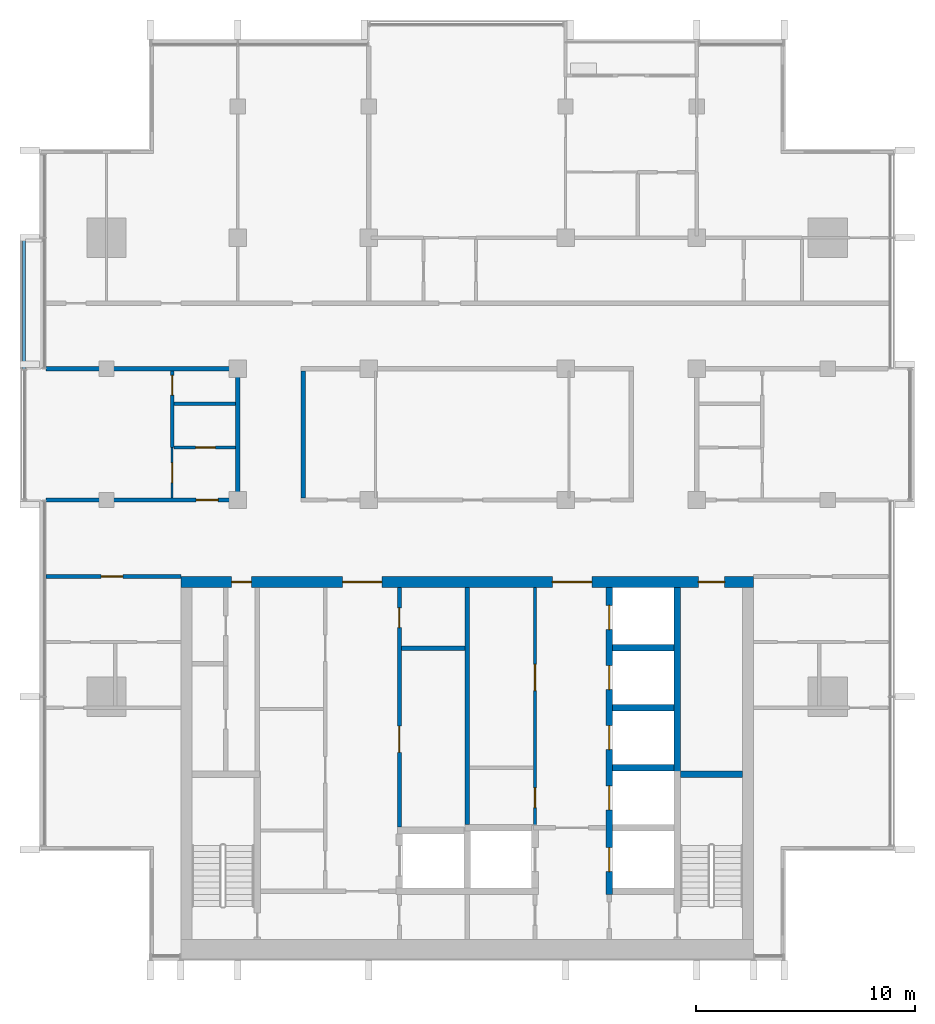
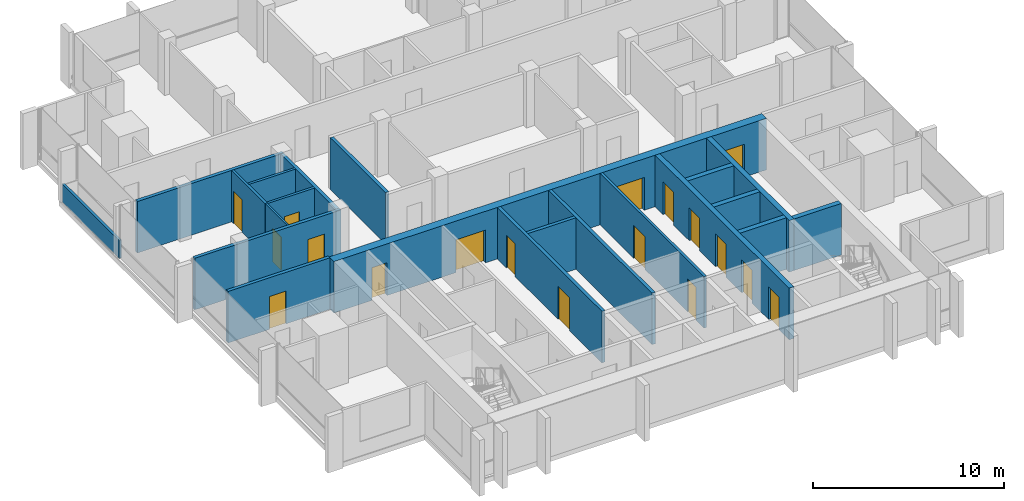
# One storey, part 8 of 16: 21 walls, 18 doors, 18 openings.
"""IFC4 building model written with IfcOpenShell, lengths in metres."""

from ifc_helpers import new_model, si_unit, direction, frame, frame_2d, origin, place, context, subcontext, project, spatial, rectangle, extrude, material, layer, layer_set, type_object, element, fill, save


model = new_model("IFC4")

# Units and contexts
model_context = context("Model", 3, precision=1e-05, world=origin(), true_north=direction((0.0, 1.0)))
body_context = subcontext(model_context, "Body", "Model", "MODEL_VIEW")
ifc_project = project(units=[si_unit("LENGTHUNIT", "METRE"), si_unit("AREAUNIT", "SQUARE_METRE"), si_unit("VOLUMEUNIT", "CUBIC_METRE"), si_unit("PLANEANGLEUNIT", "RADIAN"), si_unit("MASSUNIT", "GRAM", prefix="KILO")], contexts=[model_context])

# Site, building, storey
site_placement = place(None, origin())
site = spatial("IfcSite", under=ifc_project, at=site_placement, CompositionType="ELEMENT")
building_placement = place(site_placement, origin())
building = spatial("IfcBuilding", under=site, at=building_placement, Name="Finial Court Residences", CompositionType="ELEMENT")
storey_placement = place(building_placement, frame((0.0, 0.0, 262.699951171875)))
storey = spatial("IfcBuildingStorey", under=building, at=storey_placement, Name="L66", CompositionType="ELEMENT", Elevation=262.699951171875)

# Wall, openings, doors
ifc_material_1 = material(Name="Concrete C50/60", Category="concrete")
ifc_layer_1 = layer(ifc_material_1, 0.5)
ifc_layer_set_1 = layer_set([ifc_layer_1], Name="Core outer wall 500 Concrete C50/60")
wall_type_1 = type_object("IfcWallType", Name="Core outer wall 500 Concrete C50/60", PredefinedType="SHEAR", material=ifc_layer_set_1)
wall_1_placement = place(storey_placement, frame((-13.10009765625, -8.25, 0.0), z_axis=(0.0, 0.0, 1.0), x_axis=(1.0, 0.0, 0.0)))
wall_1 = element("IfcWall", 1, at=wall_1_placement, inside=storey, type_object=wall_type_1, Name="Core outer wall L66-02", PredefinedType="SHEAR", context=body_context, shape_type="SweptSolid", body=[
    extrude(rectangle(XDim=26.2001953125, YDim=0.5, at=frame_2d((13.10009765625, 0.0))), origin(), (0.0, 0.0, 1.0), 3.300048828125),
])
opening_1_placement = place(wall_1_placement, frame((7.39990234375, 0.0, 0.0)))
opening_1 = element("IfcOpeningElement", 2, at=opening_1_placement, cuts=wall_1, Name="Opening L66-C04", PredefinedType="OPENING", context=body_context, shape_type="SweptSolid", body=[
    extrude(rectangle(XDim=1.800048828125, YDim=2.10009765625, at=frame_2d((0.89990234375, 1.050048828125))), frame((0.0, 0.260009765625, 0.0), z_axis=(0.0, -1.0, 0.0), x_axis=(1.0, 0.0, 0.0)), (0.0, 0.0, 1.0), 0.52001953125),
])
opening_2_placement = place(wall_1_placement, frame((17.0, 0.0, 0.0)))
opening_2 = element("IfcOpeningElement", 3, at=opening_2_placement, cuts=wall_1, Name="Opening L66-C05", PredefinedType="OPENING", context=body_context, shape_type="SweptSolid", body=[
    extrude(rectangle(XDim=1.800048828125, YDim=2.10009765625, at=frame_2d((0.89990234375, 1.050048828125))), frame((0.0, 0.260009765625, 0.0), z_axis=(0.0, -1.0, 0.0), x_axis=(1.0, 0.0, 0.0)), (0.0, 0.0, 1.0), 0.52001953125),
])
opening_3_placement = place(wall_1_placement, frame((2.324951171875, 0.0, 0.0)))
opening_3 = element("IfcOpeningElement", 4, at=opening_3_placement, cuts=wall_1, Name="Opening L66-C10", PredefinedType="OPENING", context=body_context, shape_type="SweptSolid", body=[
    extrude(rectangle(XDim=0.89990234375, YDim=2.10009765625, at=frame_2d((0.449951171875, 1.050048828125))), frame((0.0, 0.260009765625, 0.0), z_axis=(0.0, -1.0, 0.0), x_axis=(1.0, 0.0, 0.0)), (0.0, 0.0, 1.0), 0.52001953125),
])
opening_4_placement = place(wall_1_placement, frame((23.675048828125, 0.0, 0.0)))
opening_4 = element("IfcOpeningElement", 5, at=opening_4_placement, cuts=wall_1, Name="Opening L66-C11", PredefinedType="OPENING", context=body_context, shape_type="SweptSolid", body=[
    extrude(rectangle(XDim=1.199951171875, YDim=2.10009765625, at=frame_2d((0.60009765625, 1.050048828125))), frame((0.0, 0.260009765625, 0.0), z_axis=(0.0, -1.0, 0.0), x_axis=(1.0, 0.0, 0.0)), (0.0, 0.0, 1.0), 0.52001953125),
])
ifc_material_2 = material(Name="Steel fire door", Category="steel")
door_type_1 = type_object("IfcDoorType", Name="Lift lobby door 1800 x 2100 EI 60", OperationType="DOUBLE_DOOR_SINGLE_SWING", PredefinedType="DOOR", material=ifc_material_2)
door_1_placement = place(opening_1_placement, origin())
door_1 = element("IfcDoor", 6, at=door_1_placement, inside=storey, type_object=door_type_1, Name="Lift lobby door L66-C04", OperationType="DOUBLE_DOOR_SINGLE_SWING", OverallHeight=2.10009765625, OverallWidth=1.800048828125, PredefinedType="DOOR", context=body_context, shape_type="SweptSolid", body=[
    extrude(rectangle(XDim=1.800048828125, YDim=2.10009765625, at=frame_2d((0.89990234375, 1.050048828125))), frame((0.0, 0.02490234375, 0.0), z_axis=(0.0, -1.0, 0.0), x_axis=(1.0, 0.0, 0.0)), (0.0, 0.0, 1.0), 0.050048828125),
])
fill(opening_1, door_1)
door_2_placement = place(opening_2_placement, origin())
door_2 = element("IfcDoor", 7, at=door_2_placement, inside=storey, type_object=door_type_1, Name="Lift lobby door L66-C05", OperationType="DOUBLE_DOOR_SINGLE_SWING", OverallHeight=2.10009765625, OverallWidth=1.800048828125, PredefinedType="DOOR", context=body_context, shape_type="SweptSolid", body=[
    extrude(rectangle(XDim=1.800048828125, YDim=2.10009765625, at=frame_2d((0.89990234375, 1.050048828125))), frame((0.0, 0.02490234375, 0.0), z_axis=(0.0, -1.0, 0.0), x_axis=(1.0, 0.0, 0.0)), (0.0, 0.0, 1.0), 0.050048828125),
])
fill(opening_2, door_2)
door_type_2 = type_object("IfcDoorType", Name="Riser room door 1200 x 2100 EI 90", OperationType="NOTDEFINED", PredefinedType="DOOR", material=ifc_material_2)
door_3_placement = place(opening_4_placement, origin())
door_3 = element("IfcDoor", 8, at=door_3_placement, inside=storey, type_object=door_type_2, Name="Riser room door L66-C11", OperationType="SINGLE_SWING_RIGHT", OverallHeight=2.10009765625, OverallWidth=1.199951171875, PredefinedType="DOOR", context=body_context, shape_type="SweptSolid", body=[
    extrude(rectangle(XDim=1.199951171875, YDim=2.10009765625, at=frame_2d((0.60009765625, 1.050048828125))), frame((0.0, 0.02490234375, 0.0), z_axis=(0.0, -1.0, 0.0), x_axis=(1.0, 0.0, 0.0)), (0.0, 0.0, 1.0), 0.050048828125),
])
fill(opening_4, door_3)
door_type_3 = type_object("IfcDoorType", Name="Riser room door 900 x 2100 EI 90", OperationType="NOTDEFINED", PredefinedType="DOOR", material=ifc_material_2)
door_4_placement = place(opening_3_placement, origin())
door_4 = element("IfcDoor", 9, at=door_4_placement, inside=storey, type_object=door_type_3, Name="Riser room door L66-C10", OperationType="SINGLE_SWING_RIGHT", OverallHeight=2.10009765625, OverallWidth=0.89990234375, PredefinedType="DOOR", context=body_context, shape_type="SweptSolid", body=[
    extrude(rectangle(XDim=0.89990234375, YDim=2.10009765625, at=frame_2d((0.449951171875, 1.050048828125))), frame((0.0, 0.02490234375, 0.0), z_axis=(0.0, -1.0, 0.0), x_axis=(1.0, 0.0, 0.0)), (0.0, 0.0, 1.0), 0.050048828125),
])
fill(opening_3, door_4)

ifc_material_3 = material(Name="Fire-rated gypsum board partition")
ifc_layer_2 = layer(ifc_material_3, 0.14990234375)
ifc_layer_set_2 = layer_set([ifc_layer_2], Name="Core room partition 150 EI 60")
wall_type_2 = type_object("IfcWallType", Name="Core room partition 150 EI 60", PredefinedType="PARTITIONING", material=ifc_layer_set_2)
wall_2_placement = place(storey_placement, frame((3.10009765625, -19.39990234375, 0.0), z_axis=(0.0, 0.0, 1.0), x_axis=(0.0, 1.0, 0.0)))
wall_2 = element("IfcWall", 10, at=wall_2_placement, inside=storey, type_object=wall_type_2, Name="Core partition L66-31", PredefinedType="PARTITIONING", context=body_context, shape_type="SweptSolid", body=[
    extrude(rectangle(XDim=10.89990234375, YDim=0.14990234375, at=frame_2d((5.449951171875, 0.0))), origin(), (0.0, 0.0, 1.0), 3.300048828125),
])
opening_5_placement = place(wall_2_placement, frame((0.824951171875, 0.0, 0.0)))
opening_5 = element("IfcOpeningElement", 11, at=opening_5_placement, cuts=wall_2, Name="Opening L66-C17", PredefinedType="OPENING", context=body_context, shape_type="SweptSolid", body=[
    extrude(rectangle(XDim=0.89990234375, YDim=2.10009765625, at=frame_2d((0.449951171875, 1.050048828125))), frame((0.0, 0.0849609375, 0.0), z_axis=(0.0, -1.0, 0.0), x_axis=(1.0, 0.0, 0.0)), (0.0, 0.0, 1.0), 0.169921875),
])
opening_6_placement = place(wall_2_placement, frame((6.175048828125, 0.0, 0.0)))
opening_6 = element("IfcOpeningElement", 12, at=opening_6_placement, cuts=wall_2, Name="Opening L66-C18", PredefinedType="OPENING", context=body_context, shape_type="SweptSolid", body=[
    extrude(rectangle(XDim=1.199951171875, YDim=2.10009765625, at=frame_2d((0.60009765625, 1.050048828125))), frame((0.0, 0.0849609375, 0.0), z_axis=(0.0, -1.0, 0.0), x_axis=(1.0, 0.0, 0.0)), (0.0, 0.0, 1.0), 0.169921875),
])
door_type_4 = type_object("IfcDoorType", Name="Core room door 1200 x 2100 EI 60", OperationType="NOTDEFINED", PredefinedType="DOOR", material=ifc_material_2)
door_5_placement = place(opening_6_placement, origin())
door_5 = element("IfcDoor", 13, at=door_5_placement, inside=storey, type_object=door_type_4, Name="Core room door L66-C18", OperationType="SINGLE_SWING_LEFT", OverallHeight=2.10009765625, OverallWidth=1.199951171875, PredefinedType="DOOR", context=body_context, shape_type="SweptSolid", body=[
    extrude(rectangle(XDim=1.199951171875, YDim=2.10009765625, at=frame_2d((0.60009765625, 1.050048828125))), frame((0.0, 0.02490234375, 0.0), z_axis=(0.0, -1.0, 0.0), x_axis=(1.0, 0.0, 0.0)), (0.0, 0.0, 1.0), 0.050048828125),
])
fill(opening_6, door_5)
door_type_5 = type_object("IfcDoorType", Name="Core room door 900 x 2100 EI 60", OperationType="NOTDEFINED", PredefinedType="DOOR", material=ifc_material_2)
door_6_placement = place(opening_5_placement, origin())
door_6 = element("IfcDoor", 14, at=door_6_placement, inside=storey, type_object=door_type_5, Name="Core room door L66-C17", OperationType="SINGLE_SWING_LEFT", OverallHeight=2.10009765625, OverallWidth=0.89990234375, PredefinedType="DOOR", context=body_context, shape_type="SweptSolid", body=[
    extrude(rectangle(XDim=0.89990234375, YDim=2.10009765625, at=frame_2d((0.449951171875, 1.050048828125))), frame((0.0, 0.02490234375, 0.0), z_axis=(0.0, -1.0, 0.0), x_axis=(1.0, 0.0, 0.0)), (0.0, 0.0, 1.0), 0.050048828125),
])
fill(opening_5, door_6)

# Wall, opening, door
ifc_material_4 = material(Name="Gypsum board")
ifc_layer_3 = layer(ifc_material_4, 0.02490234375)
ifc_material_5 = material(Name="Acoustic mineral wool in double frame")
ifc_layer_4 = layer(ifc_material_5, 0.14990234375)
ifc_layer_5 = layer(ifc_material_4, 0.02490234375)
ifc_layer_set_3 = layer_set([ifc_layer_3, ifc_layer_4, ifc_layer_5], Name="Corridor wall 200, 1 hour")
wall_type_3 = type_object("IfcWallType", Name="Corridor wall 200, 1 hour", PredefinedType="PARTITIONING", material=ifc_layer_set_3)
wall_3_placement = place(storey_placement, frame((-19.262451171875, -8.0, 0.0), z_axis=(0.0, 0.0, 1.0), x_axis=(1.0, 0.0, 0.0)))
wall_3 = element("IfcWall", 15, at=wall_3_placement, inside=storey, type_object=wall_type_3, Name="Partition L66-004", PredefinedType="PARTITIONING", context=body_context, shape_type="SweptSolid", body=[
    extrude(rectangle(XDim=6.162353515625, YDim=0.199951171875, at=frame_2d((3.0810546875, 0.0))), origin(), (0.0, 0.0, 1.0), 3.300048828125),
])
opening_7_placement = place(wall_3_placement, frame((2.511962890625, 0.0, 0.0)))
opening_7 = element("IfcOpeningElement", 16, at=opening_7_placement, cuts=wall_3, Name="Opening L66-D007", PredefinedType="OPENING", context=body_context, shape_type="SweptSolid", body=[
    extrude(rectangle(XDim=1.0, YDim=2.10009765625, at=frame_2d((0.5, 1.050048828125))), frame((0.0, 0.10986328125, 0.0), z_axis=(0.0, -1.0, 0.0), x_axis=(1.0, 0.0, 0.0)), (0.0, 0.0, 1.0), 0.219970703125),
])
ifc_material_6 = material(Name="Timber door leaf in hollow metal frame", Category="wood")
door_type_6 = type_object("IfcDoorType", Name="Fire door set 1000 x 2100, 30 minutes", OperationType="SINGLE_SWING_LEFT", PredefinedType="DOOR", material=ifc_material_6)
door_7_placement = place(opening_7_placement, origin())
door_7 = element("IfcDoor", 17, at=door_7_placement, inside=storey, type_object=door_type_6, Name="Door L66-D007", OperationType="SINGLE_SWING_RIGHT", OverallHeight=2.10009765625, OverallWidth=1.0, PredefinedType="DOOR", context=body_context, shape_type="SweptSolid", body=[
    extrude(rectangle(XDim=1.0, YDim=2.10009765625, at=frame_2d((0.5, 1.050048828125))), frame((0.0, 0.02490234375, 0.0), z_axis=(0.0, -1.0, 0.0), x_axis=(1.0, 0.0, 0.0)), (0.0, 0.0, 1.0), 0.050048828125),
])
fill(opening_7, door_7)

wall_4_placement = place(storey_placement, frame((-19.262451171875, -4.5, 0.0), z_axis=(0.0, 0.0, 1.0), x_axis=(1.0, 0.0, 0.0)))
wall_4 = element("IfcWall", 18, at=wall_4_placement, inside=storey, type_object=wall_type_3, Name="Partition L66-006", PredefinedType="PARTITIONING", context=body_context, shape_type="SweptSolid", body=[
    extrude(rectangle(XDim=8.862548828125, YDim=0.199951171875, at=frame_2d((4.43115234375, 0.0))), origin(), (0.0, 0.0, 1.0), 3.300048828125),
])
opening_8_placement = place(wall_4_placement, frame((6.862060546875, 0.0, 0.0)))
opening_8 = element("IfcOpeningElement", 19, at=opening_8_placement, cuts=wall_4, Name="Opening L66-D009", PredefinedType="OPENING", context=body_context, shape_type="SweptSolid", body=[
    extrude(rectangle(XDim=1.0, YDim=2.10009765625, at=frame_2d((0.5, 1.050048828125))), frame((0.0, 0.10986328125, 0.0), z_axis=(0.0, -1.0, 0.0), x_axis=(1.0, 0.0, 0.0)), (0.0, 0.0, 1.0), 0.219970703125),
])
door_8_placement = place(opening_8_placement, origin())
door_8 = element("IfcDoor", 20, at=door_8_placement, inside=storey, type_object=door_type_6, Name="Door L66-D009", OperationType="SINGLE_SWING_LEFT", OverallHeight=2.10009765625, OverallWidth=1.0, PredefinedType="DOOR", context=body_context, shape_type="SweptSolid", body=[
    extrude(rectangle(XDim=1.0, YDim=2.10009765625, at=frame_2d((0.5, 1.050048828125))), frame((0.0, 0.02490234375, 0.0), z_axis=(0.0, -1.0, 0.0), x_axis=(1.0, 0.0, 0.0)), (0.0, 0.0, 1.0), 0.050048828125),
])
fill(opening_8, door_8)

# Walls
wall_5_placement = place(storey_placement, frame((-19.262451171875, 1.5, 0.0), z_axis=(0.0, 0.0, 1.0), x_axis=(1.0, 0.0, 0.0)))
element("IfcWall", 21, at=wall_5_placement, inside=storey, type_object=wall_type_3, Name="Partition L66-013", PredefinedType="PARTITIONING", context=body_context, shape_type="SweptSolid", body=[
    extrude(rectangle(XDim=8.862548828125, YDim=0.199951171875, at=frame_2d((4.43115234375, 0.0))), origin(), (0.0, 0.0, 1.0), 3.300048828125),
])
for number, where, z_axis, x_axis, name in (
    (22, (-10.5, -4.39990234375, 0.0), (0.0, 0.0, 1.0), (0.0, 1.0, 0.0), "Partition L66-027"),
    (23, (-7.5, -4.39990234375, 0.0), (0.0, 0.0, 1.0), (0.0, 1.0, 0.0), "Partition L66-029"),
):
    element("IfcWall", number, at=place(storey_placement, frame(where, z_axis=z_axis, x_axis=x_axis)), inside=storey, type_object=wall_type_3, Name=name, PredefinedType="PARTITIONING", context=body_context, shape_type="SweptSolid", body=[
        extrude(rectangle(XDim=5.7998046875, YDim=0.199951171875, at=frame_2d((2.89990234375, 0.0))), origin(), (0.0, 0.0, 1.0), 3.300048828125),
    ])

# Wall, opening, door
ifc_layer_6 = layer(ifc_material_4, 0.012451171875)
ifc_material_7 = material(Name="Mineral wool in light-gauge frame")
ifc_layer_7 = layer(ifc_material_7, 0.074951171875)
ifc_layer_8 = layer(ifc_material_4, 0.012451171875)
ifc_layer_set_4 = layer_set([ifc_layer_6, ifc_layer_7, ifc_layer_8], Name="Gypsum board partition 100")
wall_type_4 = type_object("IfcWallType", Name="Gypsum board partition 100", PredefinedType="PARTITIONING", material=ifc_layer_set_4)
wall_6_placement = place(storey_placement, frame((-13.5, -4.39990234375, 0.0), z_axis=(0.0, 0.0, 1.0), x_axis=(0.0, 1.0, 0.0)))
wall_6 = element("IfcWall", 24, at=wall_6_placement, inside=storey, type_object=wall_type_4, Name="Partition L66-025", PredefinedType="PARTITIONING", context=body_context, shape_type="SweptSolid", body=[
    extrude(rectangle(XDim=2.2998046875, YDim=0.10009765625, at=frame_2d((1.14990234375, 0.0))), origin(), (0.0, 0.0, 1.0), 3.300048828125),
])
opening_9_placement = place(wall_6_placement, frame((0.699951171875, 0.0, 0.0)))
opening_9 = element("IfcOpeningElement", 25, at=opening_9_placement, cuts=wall_6, Name="Opening L66-D024", PredefinedType="OPENING", context=body_context, shape_type="SweptSolid", body=[
    extrude(rectangle(XDim=0.89990234375, YDim=2.10009765625, at=frame_2d((0.449951171875, 1.050048828125))), frame((0.0, 0.06005859375, 0.0), z_axis=(0.0, -1.0, 0.0), x_axis=(1.0, 0.0, 0.0)), (0.0, 0.0, 1.0), 0.1201171875),
])
ifc_material_8 = material(Name="Timber door leaf in timber frame", Category="wood")
door_type_7 = type_object("IfcDoorType", Name="Door set 900 x 2100", OperationType="SINGLE_SWING_LEFT", PredefinedType="DOOR", material=ifc_material_8)
door_9_placement = place(opening_9_placement, origin())
door_9 = element("IfcDoor", 26, at=door_9_placement, inside=storey, type_object=door_type_7, Name="Door L66-D024", OperationType="SINGLE_SWING_LEFT", OverallHeight=2.10009765625, OverallWidth=0.89990234375, PredefinedType="DOOR", context=body_context, shape_type="SweptSolid", body=[
    extrude(rectangle(XDim=0.89990234375, YDim=2.10009765625, at=frame_2d((0.449951171875, 1.050048828125))), frame((0.0, 0.02490234375, 0.0), z_axis=(0.0, -1.0, 0.0), x_axis=(1.0, 0.0, 0.0)), (0.0, 0.0, 1.0), 0.050048828125),
])
fill(opening_9, door_9)

ifc_material_9 = material(Name="Moisture-resistant gypsum board")
ifc_layer_9 = layer(ifc_material_9, 0.012451171875)
ifc_layer_10 = layer(ifc_material_7, 0.125)
ifc_layer_11 = layer(ifc_material_9, 0.012451171875)
ifc_layer_set_5 = layer_set([ifc_layer_9, ifc_layer_10, ifc_layer_11], Name="Gypsum board wet-area partition 150")
wall_type_5 = type_object("IfcWallType", Name="Gypsum board wet-area partition 150", PredefinedType="PARTITIONING", material=ifc_layer_set_5)
wall_7_placement = place(storey_placement, frame((-13.425048828125, -2.10009765625, 0.0), z_axis=(0.0, 0.0, 1.0), x_axis=(1.0, 0.0, 0.0)))
wall_7 = element("IfcWall", 27, at=wall_7_placement, inside=storey, type_object=wall_type_5, Name="Partition L66-009", PredefinedType="PARTITIONING", context=body_context, shape_type="SweptSolid", body=[
    extrude(rectangle(XDim=2.824951171875, YDim=0.14990234375, at=frame_2d((1.41259765625, 0.0))), origin(), (0.0, 0.0, 1.0), 3.300048828125),
])
opening_10_placement = place(wall_7_placement, frame((1.0, 0.0, 0.0)))
opening_10 = element("IfcOpeningElement", 28, at=opening_10_placement, cuts=wall_7, Name="Opening L66-D014", PredefinedType="OPENING", context=body_context, shape_type="SweptSolid", body=[
    extrude(rectangle(XDim=0.89990234375, YDim=2.10009765625, at=frame_2d((0.449951171875, 1.050048828125))), frame((0.0, 0.0849609375, 0.0), z_axis=(0.0, -1.0, 0.0), x_axis=(1.0, 0.0, 0.0)), (0.0, 0.0, 1.0), 0.169921875),
])
door_10_placement = place(opening_10_placement, origin())
door_10 = element("IfcDoor", 29, at=door_10_placement, inside=storey, type_object=door_type_7, Name="Door L66-D014", OperationType="SINGLE_SWING_LEFT", OverallHeight=2.10009765625, OverallWidth=0.89990234375, PredefinedType="DOOR", context=body_context, shape_type="SweptSolid", body=[
    extrude(rectangle(XDim=0.89990234375, YDim=2.10009765625, at=frame_2d((0.449951171875, 1.050048828125))), frame((0.0, 0.02490234375, 0.0), z_axis=(0.0, -1.0, 0.0), x_axis=(1.0, 0.0, 0.0)), (0.0, 0.0, 1.0), 0.050048828125),
])
fill(opening_10, door_10)

# Wall
wall_8_placement = place(storey_placement, frame((-13.425048828125, -0.10009765625, 0.0), z_axis=(0.0, 0.0, 1.0), x_axis=(1.0, 0.0, 0.0)))
element("IfcWall", 30, at=wall_8_placement, inside=storey, type_object=wall_type_5, Name="Partition L66-011", PredefinedType="PARTITIONING", context=body_context, shape_type="SweptSolid", body=[
    extrude(rectangle(XDim=2.824951171875, YDim=0.14990234375, at=frame_2d((1.41259765625, 0.0))), origin(), (0.0, 0.0, 1.0), 3.300048828125),
])

# Wall, opening, door
wall_9_placement = place(storey_placement, frame((-13.5, -2.10009765625, 0.0), z_axis=(0.0, 0.0, 1.0), x_axis=(0.0, 1.0, 0.0)))
wall_9 = element("IfcWall", 31, at=wall_9_placement, inside=storey, type_object=wall_type_5, Name="Partition L66-026", PredefinedType="PARTITIONING", context=body_context, shape_type="SweptSolid", body=[
    extrude(rectangle(XDim=3.5, YDim=0.14990234375, at=frame_2d((1.75, 0.0))), origin(), (0.0, 0.0, 1.0), 3.300048828125),
])
opening_11_placement = place(wall_9_placement, frame((2.39990234375, 0.0, 0.0)))
opening_11 = element("IfcOpeningElement", 32, at=opening_11_placement, cuts=wall_9, Name="Opening L66-D025", PredefinedType="OPENING", context=body_context, shape_type="SweptSolid", body=[
    extrude(rectangle(XDim=0.89990234375, YDim=2.10009765625, at=frame_2d((0.449951171875, 1.050048828125))), frame((0.0, 0.0849609375, 0.0), z_axis=(0.0, -1.0, 0.0), x_axis=(1.0, 0.0, 0.0)), (0.0, 0.0, 1.0), 0.169921875),
])
door_11_placement = place(opening_11_placement, origin())
door_11 = element("IfcDoor", 33, at=door_11_placement, inside=storey, type_object=door_type_7, Name="Door L66-D025", OperationType="SINGLE_SWING_RIGHT", OverallHeight=2.10009765625, OverallWidth=0.89990234375, PredefinedType="DOOR", context=body_context, shape_type="SweptSolid", body=[
    extrude(rectangle(XDim=0.89990234375, YDim=2.10009765625, at=frame_2d((0.449951171875, 1.050048828125))), frame((0.0, 0.02490234375, 0.0), z_axis=(0.0, -1.0, 0.0), x_axis=(1.0, 0.0, 0.0)), (0.0, 0.0, 1.0), 0.050048828125),
])
fill(opening_11, door_11)

# Walls
ifc_material_10 = material(Name="Concrete C35/45", Category="concrete")
ifc_layer_12 = layer(ifc_material_10, 0.14990234375)
ifc_layer_set_6 = layer_set([ifc_layer_12], Name="Ledge parapet, Concrete C35/45 150")
wall_type_6 = type_object("IfcWallType", Name="Ledge parapet, Concrete C35/45 150", PredefinedType="PARAPET", material=ifc_layer_set_6)
wall_10_placement = place(storey_placement, frame((-20.27490234375, 1.447509765625, 0.0), z_axis=(0.0, 0.0, 1.0), x_axis=(0.0, 1.0, 0.0)))
element("IfcWall", 34, at=wall_10_placement, inside=storey, type_object=wall_type_6, Name="E-L66-LED1-P1", PredefinedType="PARAPET", context=body_context, shape_type="SweptSolid", body=[
    extrude(rectangle(XDim=6.00244140625, YDim=0.14990234375, at=frame_2d((3.001220703125, 0.0))), origin(), (0.0, 0.0, 1.0), 1.150146484375),
])
ifc_layer_13 = layer(ifc_material_1, 0.300048828125)
ifc_layer_set_7 = layer_set([ifc_layer_13], Name="Lift shaft and stair wall 300 Concrete C50/60")
wall_type_7 = type_object("IfcWallType", Name="Lift shaft and stair wall 300 Concrete C50/60", PredefinedType="SHEAR", material=ifc_layer_set_7)
wall_11_placement = place(storey_placement, frame((9.75, -17.050048828125, 0.0), z_axis=(0.0, 0.0, 1.0), x_axis=(1.0, 0.0, 0.0)))
element("IfcWall", 35, at=wall_11_placement, inside=storey, type_object=wall_type_7, Name="Core wall L66-10", PredefinedType="SHEAR", context=body_context, shape_type="SweptSolid", body=[
    extrude(rectangle(XDim=2.85009765625, YDim=0.300048828125, at=frame_2d((1.425048828125, 0.0))), origin(), (0.0, 0.0, 1.0), 3.300048828125),
])
for number, where, z_axis, x_axis, name in (
    (36, (6.64990234375, -16.75, 0.0), (0.0, 0.0, 1.0), (1.0, 0.0, 0.0), "Core wall L66-12"),
    (37, (6.64990234375, -14.0, 0.0), (0.0, 0.0, 1.0), (1.0, 0.0, 0.0), "Core wall L66-14"),
    (38, (6.64990234375, -11.25, 0.0), (0.0, 0.0, 1.0), (1.0, 0.0, 0.0), "Core wall L66-17"),
):
    element("IfcWall", number, at=place(storey_placement, frame(where, z_axis=z_axis, x_axis=x_axis)), inside=storey, type_object=wall_type_7, Name=name, PredefinedType="SHEAR", context=body_context, shape_type="SweptSolid", body=[
        extrude(rectangle(XDim=2.800048828125, YDim=0.300048828125, at=frame_2d((1.39990234375, 0.0))), origin(), (0.0, 0.0, 1.0), 3.300048828125),
    ])

# Wall, openings, doors
wall_12_placement = place(storey_placement, frame((6.5, -22.550048828125, 0.0), z_axis=(0.0, 0.0, 1.0), x_axis=(0.0, 1.0, 0.0)))
wall_12 = element("IfcWall", 39, at=wall_12_placement, inside=storey, type_object=wall_type_7, Name="Core wall L66-33", PredefinedType="SHEAR", context=body_context, shape_type="SweptSolid", body=[
    extrude(rectangle(XDim=14.050048828125, YDim=0.300048828125, at=frame_2d((7.02490234375, 0.0))), origin(), (0.0, 0.0, 1.0), 3.300048828125),
])
opening_12_placement = place(wall_12_placement, frame((1.050048828125, 0.0, 0.0)))
opening_12 = element("IfcOpeningElement", 40, at=opening_12_placement, cuts=wall_12, Name="Opening L66-LD02", PredefinedType="OPENING", context=body_context, shape_type="SweptSolid", body=[
    extrude(rectangle(XDim=1.10009765625, YDim=2.10009765625, at=frame_2d((0.550048828125, 1.050048828125))), frame((0.0, 0.159912109375, 0.0), z_axis=(0.0, -1.0, 0.0), x_axis=(1.0, 0.0, 0.0)), (0.0, 0.0, 1.0), 0.320068359375),
])
opening_13_placement = place(wall_12_placement, frame((3.875, 0.0, 0.0)))
opening_13 = element("IfcOpeningElement", 41, at=opening_13_placement, cuts=wall_12, Name="Opening L66-LD03", PredefinedType="OPENING", context=body_context, shape_type="SweptSolid", body=[
    extrude(rectangle(XDim=1.10009765625, YDim=2.10009765625, at=frame_2d((0.550048828125, 1.050048828125))), frame((0.0, 0.159912109375, 0.0), z_axis=(0.0, -1.0, 0.0), x_axis=(1.0, 0.0, 0.0)), (0.0, 0.0, 1.0), 0.320068359375),
])
opening_14_placement = place(wall_12_placement, frame((6.625, 0.0, 0.0)))
opening_14 = element("IfcOpeningElement", 42, at=opening_14_placement, cuts=wall_12, Name="Opening L66-LD04", PredefinedType="OPENING", context=body_context, shape_type="SweptSolid", body=[
    extrude(rectangle(XDim=1.10009765625, YDim=2.10009765625, at=frame_2d((0.550048828125, 1.050048828125))), frame((0.0, 0.159912109375, 0.0), z_axis=(0.0, -1.0, 0.0), x_axis=(1.0, 0.0, 0.0)), (0.0, 0.0, 1.0), 0.320068359375),
])
opening_15_placement = place(wall_12_placement, frame((9.375, 0.0, 0.0)))
opening_15 = element("IfcOpeningElement", 43, at=opening_15_placement, cuts=wall_12, Name="Opening L66-LD05", PredefinedType="OPENING", context=body_context, shape_type="SweptSolid", body=[
    extrude(rectangle(XDim=1.10009765625, YDim=2.10009765625, at=frame_2d((0.550048828125, 1.050048828125))), frame((0.0, 0.159912109375, 0.0), z_axis=(0.0, -1.0, 0.0), x_axis=(1.0, 0.0, 0.0)), (0.0, 0.0, 1.0), 0.320068359375),
])
opening_16_placement = place(wall_12_placement, frame((12.125, 0.0, 0.0)))
opening_16 = element("IfcOpeningElement", 44, at=opening_16_placement, cuts=wall_12, Name="Opening L66-LD06", PredefinedType="OPENING", context=body_context, shape_type="SweptSolid", body=[
    extrude(rectangle(XDim=1.10009765625, YDim=2.10009765625, at=frame_2d((0.550048828125, 1.050048828125))), frame((0.0, 0.159912109375, 0.0), z_axis=(0.0, -1.0, 0.0), x_axis=(1.0, 0.0, 0.0)), (0.0, 0.0, 1.0), 0.320068359375),
])
ifc_material_11 = material(Name="Stainless steel lift door", Category="steel")
door_type_8 = type_object("IfcDoorType", Name="Lift landing door 1100 x 2100 EI 90", OperationType="DOUBLE_DOOR_SLIDING", PredefinedType="DOOR", material=ifc_material_11)
door_12_placement = place(opening_12_placement, origin())
door_12 = element("IfcDoor", 45, at=door_12_placement, inside=storey, type_object=door_type_8, Name="Lift landing door FF2 L66", OperationType="DOUBLE_DOOR_SLIDING", OverallHeight=2.10009765625, OverallWidth=1.10009765625, PredefinedType="DOOR", context=body_context, shape_type="SweptSolid", body=[
    extrude(rectangle(XDim=1.10009765625, YDim=2.10009765625, at=frame_2d((0.550048828125, 1.050048828125))), frame((0.0, 0.02490234375, 0.0), z_axis=(0.0, -1.0, 0.0), x_axis=(1.0, 0.0, 0.0)), (0.0, 0.0, 1.0), 0.050048828125),
])
fill(opening_12, door_12)
door_13_placement = place(opening_13_placement, origin())
door_13 = element("IfcDoor", 46, at=door_13_placement, inside=storey, type_object=door_type_8, Name="Lift landing door HR5 L66", OperationType="DOUBLE_DOOR_SLIDING", OverallHeight=2.10009765625, OverallWidth=1.10009765625, PredefinedType="DOOR", context=body_context, shape_type="SweptSolid", body=[
    extrude(rectangle(XDim=1.10009765625, YDim=2.10009765625, at=frame_2d((0.550048828125, 1.050048828125))), frame((0.0, 0.02490234375, 0.0), z_axis=(0.0, -1.0, 0.0), x_axis=(1.0, 0.0, 0.0)), (0.0, 0.0, 1.0), 0.050048828125),
])
fill(opening_13, door_13)
door_14_placement = place(opening_14_placement, origin())
door_14 = element("IfcDoor", 47, at=door_14_placement, inside=storey, type_object=door_type_8, Name="Lift landing door HR6 L66", OperationType="DOUBLE_DOOR_SLIDING", OverallHeight=2.10009765625, OverallWidth=1.10009765625, PredefinedType="DOOR", context=body_context, shape_type="SweptSolid", body=[
    extrude(rectangle(XDim=1.10009765625, YDim=2.10009765625, at=frame_2d((0.550048828125, 1.050048828125))), frame((0.0, 0.02490234375, 0.0), z_axis=(0.0, -1.0, 0.0), x_axis=(1.0, 0.0, 0.0)), (0.0, 0.0, 1.0), 0.050048828125),
])
fill(opening_14, door_14)
door_15_placement = place(opening_15_placement, origin())
door_15 = element("IfcDoor", 48, at=door_15_placement, inside=storey, type_object=door_type_8, Name="Lift landing door HR7 L66", OperationType="DOUBLE_DOOR_SLIDING", OverallHeight=2.10009765625, OverallWidth=1.10009765625, PredefinedType="DOOR", context=body_context, shape_type="SweptSolid", body=[
    extrude(rectangle(XDim=1.10009765625, YDim=2.10009765625, at=frame_2d((0.550048828125, 1.050048828125))), frame((0.0, 0.02490234375, 0.0), z_axis=(0.0, -1.0, 0.0), x_axis=(1.0, 0.0, 0.0)), (0.0, 0.0, 1.0), 0.050048828125),
])
fill(opening_15, door_15)
door_16_placement = place(opening_16_placement, origin())
door_16 = element("IfcDoor", 49, at=door_16_placement, inside=storey, type_object=door_type_8, Name="Lift landing door HR8 L66", OperationType="DOUBLE_DOOR_SLIDING", OverallHeight=2.10009765625, OverallWidth=1.10009765625, PredefinedType="DOOR", context=body_context, shape_type="SweptSolid", body=[
    extrude(rectangle(XDim=1.10009765625, YDim=2.10009765625, at=frame_2d((0.550048828125, 1.050048828125))), frame((0.0, 0.02490234375, 0.0), z_axis=(0.0, -1.0, 0.0), x_axis=(1.0, 0.0, 0.0)), (0.0, 0.0, 1.0), 0.050048828125),
])
fill(opening_16, door_16)

# Walls
wall_13_placement = place(storey_placement, frame((9.60009765625, -17.199951171875, 0.0), z_axis=(0.0, 0.0, 1.0), x_axis=(0.0, 1.0, 0.0)))
element("IfcWall", 50, at=wall_13_placement, inside=storey, type_object=wall_type_7, Name="Core wall L66-35", PredefinedType="SHEAR", context=body_context, shape_type="SweptSolid", body=[
    extrude(rectangle(XDim=8.699951171875, YDim=0.300048828125, at=frame_2d((4.35009765625, 0.0))), origin(), (0.0, 0.0, 1.0), 3.300048828125),
])
ifc_layer_14 = layer(ifc_material_3, 0.199951171875)
ifc_layer_set_8 = layer_set([ifc_layer_14], Name="Riser room wall 200 EI 120")
wall_type_8 = type_object("IfcWallType", Name="Riser room wall 200 EI 120", PredefinedType="PARTITIONING", material=ifc_layer_set_8)
wall_14_placement = place(storey_placement, frame((-3.0, -11.280029296875, 0.0), z_axis=(0.0, 0.0, 1.0), x_axis=(1.0, 0.0, 0.0)))
element("IfcWall", 51, at=wall_14_placement, inside=storey, type_object=wall_type_8, Name="Core partition L66-16", PredefinedType="PARTITIONING", context=body_context, shape_type="SweptSolid", body=[
    extrude(rectangle(XDim=2.89990234375, YDim=0.199951171875, at=frame_2d((1.449951171875, 0.0))), origin(), (0.0, 0.0, 1.0), 3.300048828125),
])

# Wall, openings, doors
wall_15_placement = place(storey_placement, frame((-3.10009765625, -8.5, 0.0), z_axis=(0.0, 0.0, 1.0), x_axis=(0.0, -1.0, 0.0)))
wall_15 = element("IfcWall", 52, at=wall_15_placement, inside=storey, type_object=wall_type_8, Name="Core partition L66-25", PredefinedType="PARTITIONING", context=body_context, shape_type="SweptSolid", body=[
    extrude(rectangle(XDim=10.969970703125, YDim=0.199951171875, at=frame_2d((5.48486328125, 0.0))), origin(), (0.0, 0.0, 1.0), 3.300048828125),
])
opening_17_placement = place(wall_15_placement, frame((6.35009765625, 0.0, 0.0)))
opening_17 = element("IfcOpeningElement", 53, at=opening_17_placement, cuts=wall_15, Name="Opening L66-C08", PredefinedType="OPENING", context=body_context, shape_type="SweptSolid", body=[
    extrude(rectangle(XDim=1.199951171875, YDim=2.10009765625, at=frame_2d((0.60009765625, 1.050048828125))), frame((0.0, 0.10986328125, 0.0), z_axis=(0.0, -1.0, 0.0), x_axis=(1.0, 0.0, 0.0)), (0.0, 0.0, 1.0), 0.219970703125),
])
opening_18_placement = place(wall_15_placement, frame((0.93994140625, 0.0, 0.0)))
opening_18 = element("IfcOpeningElement", 54, at=opening_18_placement, cuts=wall_15, Name="Opening L66-C09", PredefinedType="OPENING", context=body_context, shape_type="SweptSolid", body=[
    extrude(rectangle(XDim=0.89990234375, YDim=2.10009765625, at=frame_2d((0.449951171875, 1.050048828125))), frame((0.0, 0.10986328125, 0.0), z_axis=(0.0, -1.0, 0.0), x_axis=(1.0, 0.0, 0.0)), (0.0, 0.0, 1.0), 0.219970703125),
])
door_17_placement = place(opening_17_placement, origin())
door_17 = element("IfcDoor", 55, at=door_17_placement, inside=storey, type_object=door_type_2, Name="Riser room door L66-C08", OperationType="SINGLE_SWING_RIGHT", OverallHeight=2.10009765625, OverallWidth=1.199951171875, PredefinedType="DOOR", context=body_context, shape_type="SweptSolid", body=[
    extrude(rectangle(XDim=1.199951171875, YDim=2.10009765625, at=frame_2d((0.60009765625, 1.050048828125))), frame((0.0, 0.02490234375, 0.0), z_axis=(0.0, -1.0, 0.0), x_axis=(1.0, 0.0, 0.0)), (0.0, 0.0, 1.0), 0.050048828125),
])
fill(opening_17, door_17)
door_18_placement = place(opening_18_placement, origin())
door_18 = element("IfcDoor", 56, at=door_18_placement, inside=storey, type_object=door_type_3, Name="Riser room door L66-C09", OperationType="SINGLE_SWING_RIGHT", OverallHeight=2.10009765625, OverallWidth=0.89990234375, PredefinedType="DOOR", context=body_context, shape_type="SweptSolid", body=[
    extrude(rectangle(XDim=0.89990234375, YDim=2.10009765625, at=frame_2d((0.449951171875, 1.050048828125))), frame((0.0, 0.02490234375, 0.0), z_axis=(0.0, -1.0, 0.0), x_axis=(1.0, 0.0, 0.0)), (0.0, 0.0, 1.0), 0.050048828125),
])
fill(opening_18, door_18)

# Wall
wall_16_placement = place(storey_placement, frame((0.0, -19.35009765625, 0.0), z_axis=(0.0, 0.0, 1.0), x_axis=(0.0, 1.0, 0.0)))
element("IfcWall", 57, at=wall_16_placement, inside=storey, type_object=wall_type_8, Name="Core partition L66-28", PredefinedType="PARTITIONING", context=body_context, shape_type="SweptSolid", body=[
    extrude(rectangle(XDim=10.85009765625, YDim=0.199951171875, at=frame_2d((5.425048828125, 0.0))), origin(), (0.0, 0.0, 1.0), 3.300048828125),
])

save(model, "model.ifc")
